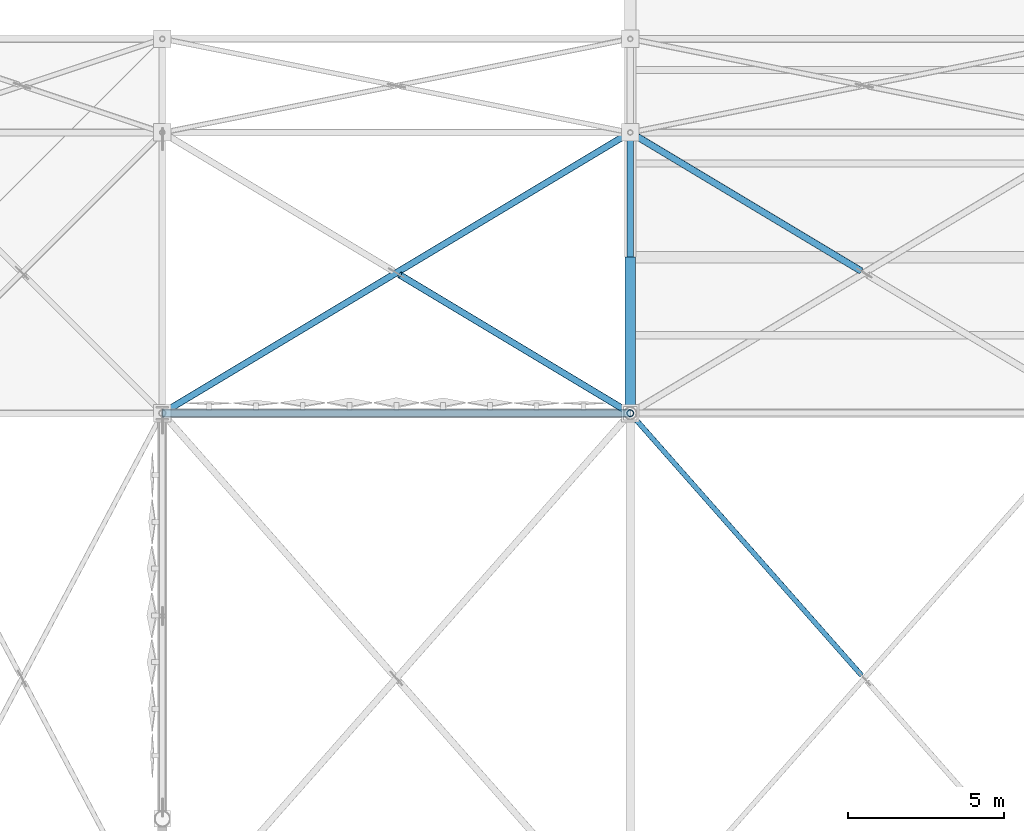
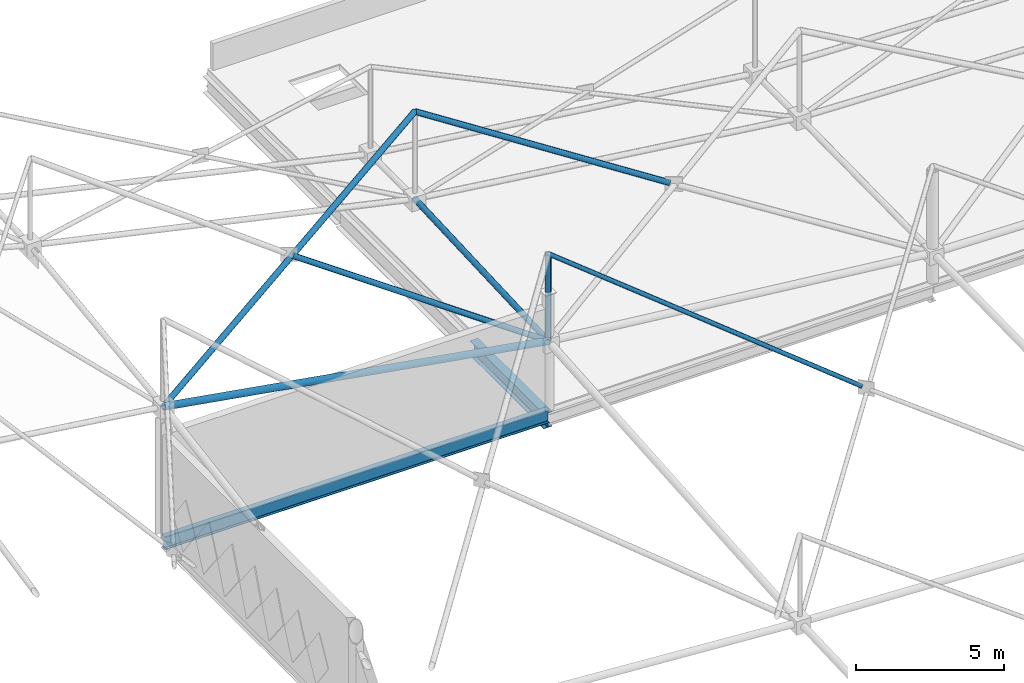
# One storey, part 85 of 224: 7 members, 2 beams.
"""IFC4 building model written with IfcOpenShell, lengths in metres."""

from ifc_helpers import new_model, si_unit, direction, frame, origin, origin_2d, place, context, subcontext, project, spatial, hollow_circle, i_section, extrude, material, material_profile, profile_set, type_object, element, save


model = new_model("IFC4")

# Units and contexts
model_context = context("Model", 3, precision=1e-05, world=origin(), true_north=direction((0.0, 1.0)))
body_context = subcontext(model_context, "Body", "Model", "MODEL_VIEW")
ifc_project = project(units=[si_unit("LENGTHUNIT", "METRE"), si_unit("AREAUNIT", "SQUARE_METRE"), si_unit("VOLUMEUNIT", "CUBIC_METRE"), si_unit("PLANEANGLEUNIT", "RADIAN"), si_unit("MASSUNIT", "GRAM", prefix="KILO")], contexts=[model_context])

# Site, building, storey
site_placement = place(None, origin())
site = spatial("IfcSite", under=ifc_project, at=site_placement, CompositionType="ELEMENT")
building_placement = place(site_placement, origin())
building = spatial("IfcBuilding", under=site, at=building_placement, Name="Qamarlyn Nura Convention Centre", CompositionType="ELEMENT")
storey_placement = place(building_placement, frame((0.0, 0.0, 10.800048828125)))
storey = spatial("IfcBuildingStorey", under=building, at=storey_placement, Name="L02", CompositionType="ELEMENT", Elevation=10.800048828125)

# Beams
ifc_material_1 = material(Name="Steel ASTM A992", Category="steel")
ifc_material_profile_1 = material_profile(ifc_material_1, i_section(OverallWidth=0.323974609375, OverallDepth=0.611083984375, WebThickness=0.0126953125, FlangeThickness=0.01904296875, FilletRadius=0.01611328125, at=origin_2d()), Name="W610X155")
ifc_profile_set_1 = profile_set([ifc_material_profile_1], Name="Steel ASTM A992")
beam_type_1 = type_object("IfcBeamType", Name="BM-GIRD-610", PredefinedType="BEAM", material=ifc_profile_set_1)
beam_1_placement = place(storey_placement, frame((15.0, 103.0, -0.50048828125), z_axis=(0.0, 1.0, 0.0), x_axis=(-1.0, 0.0, 0.0)))
element("IfcBeam", 1, at=beam_1_placement, inside=storey, type_object=beam_type_1, Name="L02 girder 2 M-N", PredefinedType="BEAM", context=body_context, shape_type="SweptSolid", body=[
    extrude(i_section(OverallWidth=0.323974609375, OverallDepth=0.611083984375, WebThickness=0.0126953125, FlangeThickness=0.01904296875, FilletRadius=0.01611328125, at=origin_2d()), origin(), (0.0, 0.0, 1.0), 5.0),
])
ifc_material_profile_2 = material_profile(ifc_material_1, i_section(OverallWidth=0.2109375, OverallDepth=0.5390625, WebThickness=0.01171875, FlangeThickness=0.018798828125, FilletRadius=0.013916015625, at=origin_2d()), Name="W530X109")
ifc_profile_set_2 = profile_set([ifc_material_profile_2], Name="Steel ASTM A992")
beam_type_2 = type_object("IfcBeamType", Name="BM-SPAN-530", PredefinedType="SPANDREL", material=ifc_profile_set_2)
beam_2_placement = place(storey_placement, frame((0.0, 103.0, -0.26953125), z_axis=(1.0, 0.0, 0.0), x_axis=(0.0, 1.0, 0.0)))
element("IfcBeam", 2, at=beam_2_placement, inside=storey, type_object=beam_type_2, Name="L02 girder M 1-2", PredefinedType="SPANDREL", context=body_context, shape_type="SweptSolid", body=[
    extrude(i_section(OverallWidth=0.2109375, OverallDepth=0.5390625, WebThickness=0.01171875, FlangeThickness=0.018798828125, FilletRadius=0.013916015625, at=origin_2d()), origin(), (0.0, 0.0, 1.0), 15.0),
])

# Members
ifc_material_2 = material(Name="Pearl-white PVDF steel ASTM A500 Grade C", Category="steel")
ifc_material_profile_3 = material_profile(ifc_material_2, hollow_circle(Radius=0.109619140625, WallThickness=0.010009765625, at=origin_2d()), Name="CHS219.1X10")
ifc_profile_set_3 = profile_set([ifc_material_profile_3], Name="Pearl-white PVDF steel ASTM A500 Grade C")
member_type_1 = type_object("IfcMemberType", Name="SF-BC-EAVE", PredefinedType="CHORD", material=ifc_profile_set_3)
member_1_placement = place(storey_placement, frame((15.0, 103.0, 2.7685546875), z_axis=(0.0, 0.9990034417, 0.044633210408), x_axis=(-1.0, 0.0, 0.0)))
element("IfcMember", 3, at=member_1_placement, inside=storey, type_object=member_type_1, Name="ROOF TRUSS space frame bottom chord Y3-7", PredefinedType="CHORD", context=body_context, shape_type="SweptSolid", body=[
    extrude(hollow_circle(Radius=0.109619140625, WallThickness=0.010009765625, at=origin_2d()), origin(), (0.0, 0.0, 1.0), 9.009033203125),
])
ifc_material_profile_4 = material_profile(ifc_material_2, hollow_circle(Radius=0.136474609375, WallThickness=0.012451171875, at=origin_2d()), Name="CHS273X12.5")
ifc_profile_set_4 = profile_set([ifc_material_profile_4], Name="Pearl-white PVDF steel ASTM A500 Grade C")
member_type_2 = type_object("IfcMemberType", Name="SF-BC-MAIN", PredefinedType="CHORD", material=ifc_profile_set_4)
member_2_placement = place(storey_placement, frame((0.0, 103.0, 5.314208984375), z_axis=(0.985903000709, 0.0, -0.167317880671), x_axis=(0.0, 1.0, 0.0)))
element("IfcMember", 4, at=member_2_placement, inside=storey, type_object=member_type_2, Name="ROOF TRUSS space frame bottom chord X2-7", PredefinedType="CHORD", context=body_context, shape_type="SweptSolid", body=[
    extrude(hollow_circle(Radius=0.136474609375, WallThickness=0.012451171875, at=origin_2d()), origin(), (0.0, 0.0, 1.0), 15.214599609375),
])
ifc_material_profile_5 = material_profile(ifc_material_2, hollow_circle(Radius=0.109619140625, WallThickness=0.010009765625, at=origin_2d()), Name="CHS219.1X10")
ifc_profile_set_5 = profile_set([ifc_material_profile_5], Name="Pearl-white PVDF steel ASTM A500 Grade C")
member_type_3 = type_object("IfcMemberType", Name="SF-WEB-HVY", PredefinedType="BRACE", material=ifc_profile_set_5)
member_3_placement = place(storey_placement, frame((0.0, 103.0, 5.314208984375), z_axis=(0.854536753183, 0.51272205191, 0.08296405815), x_axis=(-0.514495755428, 0.857492925713, 0.0)))
element("IfcMember", 5, at=member_3_placement, inside=storey, type_object=member_type_3, Name="ROOF TRUSS space frame diagonal A 2-7", PredefinedType="BRACE", context=body_context, shape_type="SweptSolid", body=[
    extrude(hollow_circle(Radius=0.109619140625, WallThickness=0.010009765625, at=origin_2d()), origin(), (0.0, 0.0, 1.0), 17.553466796875),
])
member_4_placement = place(storey_placement, frame((15.0, 103.0, 2.7685546875), z_axis=(-0.797117147684, 0.478265021374, 0.368601169557), x_axis=(-0.514491589093, -0.8574954255, 0.0)))
element("IfcMember", 6, at=member_4_placement, inside=storey, type_object=member_type_3, Name="ROOF TRUSS space frame split diagonal B1 2-7", PredefinedType="BRACE", context=body_context, shape_type="SweptSolid", body=[
    extrude(hollow_circle(Radius=0.109619140625, WallThickness=0.010009765625, at=origin_2d()), origin(), (0.0, 0.0, 1.0), 9.270263671875),
])
member_5_placement = place(storey_placement, frame((15.0, 103.0, 2.7685546875), z_axis=(0.0, 0.0, 1.0), x_axis=(1.0, 0.0, 0.0)))
element("IfcMember", 7, at=member_5_placement, inside=storey, type_object=member_type_3, Name="ROOF TRUSS space frame vertical 3-7", PredefinedType="BRACE", context=body_context, shape_type="SweptSolid", body=[
    extrude(hollow_circle(Radius=0.109619140625, WallThickness=0.010009765625, at=origin_2d()), origin(), (0.0, 0.0, 1.0), 3.60009765625),
])
member_6_placement = place(storey_placement, frame((22.3857421875, 107.568603515625, 3.931640625), z_axis=(-0.814399933629, 0.488634576071, 0.313031945929), x_axis=(-0.514491587027, -0.857495426739, 0.0)))
element("IfcMember", 8, at=member_6_placement, inside=storey, type_object=member_type_3, Name="ROOF TRUSS space frame split diagonal B2 3-7", PredefinedType="BRACE", context=body_context, shape_type="SweptSolid", body=[
    extrude(hollow_circle(Radius=0.109619140625, WallThickness=0.010009765625, at=origin_2d()), origin(), (0.0, 0.0, 1.0), 9.06884765625),
])
ifc_material_profile_6 = material_profile(ifc_material_2, hollow_circle(Radius=0.084228515625, WallThickness=0.008056640625, at=origin_2d()), Name="CHS168.3X8")
ifc_profile_set_6 = profile_set([ifc_material_profile_6], Name="Pearl-white PVDF steel ASTM A500 Grade C")
member_type_4 = type_object("IfcMemberType", Name="SF-WEB-STD", PredefinedType="BRACE", material=ifc_profile_set_6)
member_7_placement = place(storey_placement, frame((22.409912109375, 94.60205078125, 3.390380859375), z_axis=(-0.6393977295, 0.724654973455, 0.256993604895), x_axis=(-0.749839763829, -0.661619474155, 0.0)))
element("IfcMember", 9, at=member_7_placement, inside=storey, type_object=member_type_4, Name="ROOF TRUSS space frame split diagonal B2 3-6", PredefinedType="BRACE", context=body_context, shape_type="SweptSolid", body=[
    extrude(hollow_circle(Radius=0.084228515625, WallThickness=0.008056640625, at=origin_2d()), origin(), (0.0, 0.0, 1.0), 11.5888671875),
])

save(model, "model.ifc")
